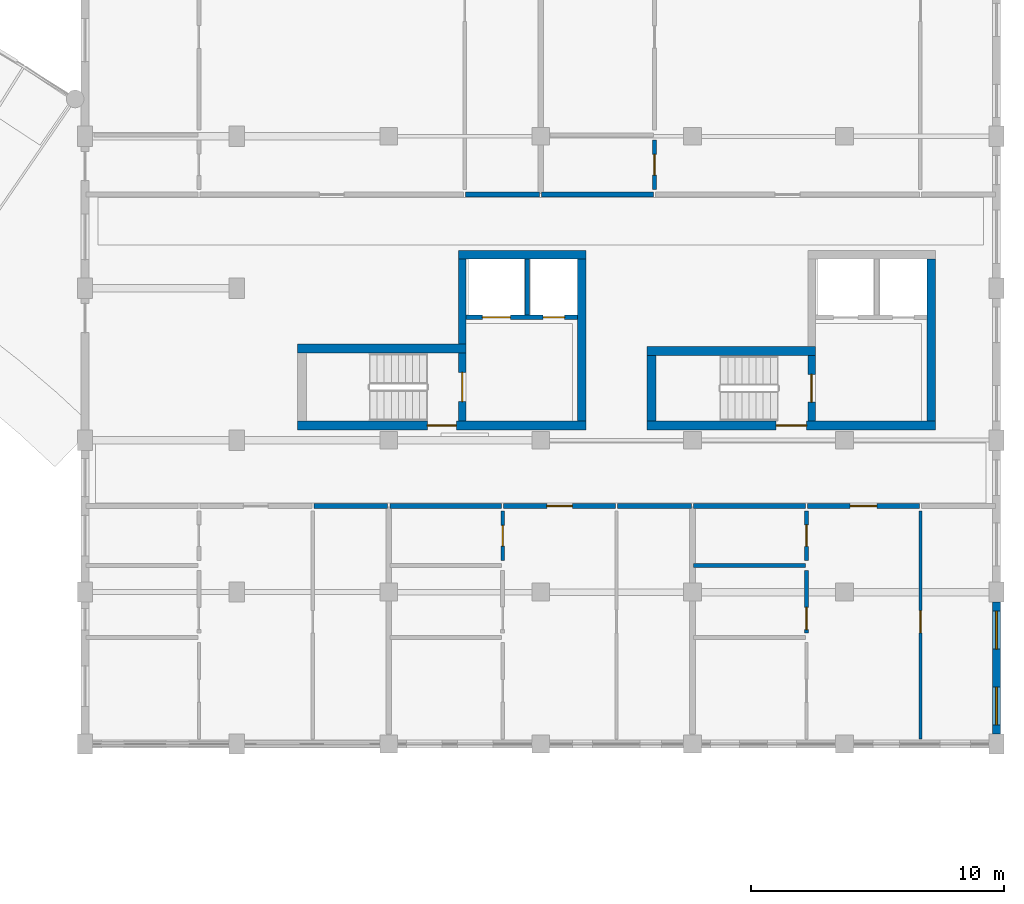
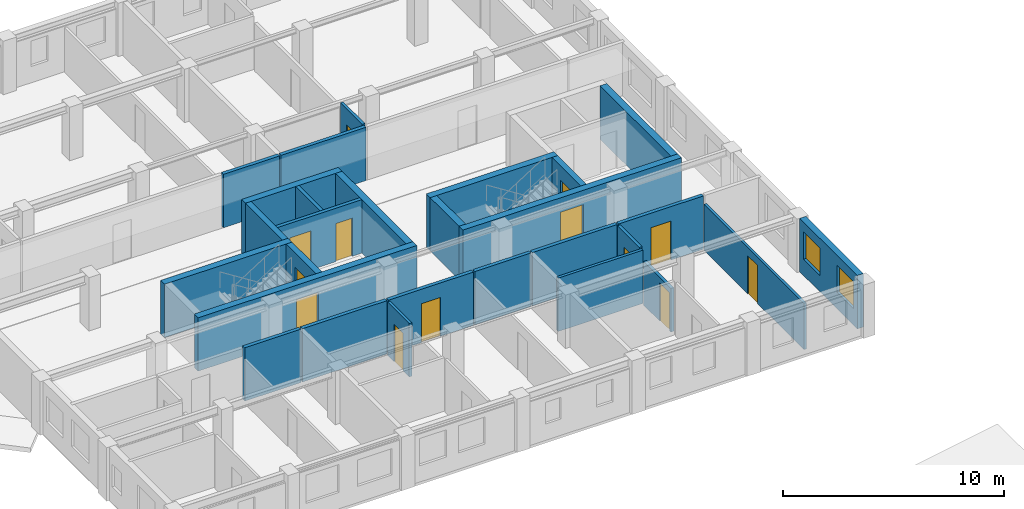
# One storey, part 112 of 137: 28 walls, 13 doors, 2 windows, 15 openings.
"""IFC4 building model written with IfcOpenShell, lengths in metres."""

from ifc_helpers import new_model, si_unit, direction, frame, frame_2d, origin, place, context, subcontext, project, spatial, rectangle, extrude, material, layer, layer_set, type_object, element, fill, save


model = new_model("IFC4")

# Units and contexts
model_context = context("Model", 3, precision=1e-05, world=origin(), true_north=direction((0.0, 1.0)))
body_context = subcontext(model_context, "Body", "Model", "MODEL_VIEW")
ifc_project = project(units=[si_unit("LENGTHUNIT", "METRE"), si_unit("AREAUNIT", "SQUARE_METRE"), si_unit("VOLUMEUNIT", "CUBIC_METRE"), si_unit("PLANEANGLEUNIT", "RADIAN"), si_unit("MASSUNIT", "GRAM", prefix="KILO"), si_unit("POWERUNIT", "WATT"), si_unit("THERMODYNAMICTEMPERATUREUNIT", "KELVIN")], contexts=[model_context])

# Site, building, storey
site_placement = place(None, origin())
site = spatial("IfcSite", under=ifc_project, at=site_placement, CompositionType="ELEMENT")
building_placement = place(site_placement, origin())
building = spatial("IfcBuilding", under=site, at=building_placement, Name="Ruvembo Vaulted Housing Court", CompositionType="ELEMENT")
storey_placement = place(building_placement, frame((0.0, 0.0, 4.5)))
storey = spatial("IfcBuildingStorey", under=building, at=storey_placement, Name="L01", CompositionType="ELEMENT", Elevation=4.5)

# Wall, opening, door
ifc_material_1 = material(Name="Concrete C35/45", Category="concrete")
ifc_layer_1 = layer(ifc_material_1, 0.300048828125, Name="Concrete C35/45")
ifc_layer_set_1 = layer_set([ifc_layer_1], Name="Concrete C35/45")
wall_type_1 = type_object("IfcWallType", Name="WL-CORE-300", PredefinedType="SHEAR", material=ifc_layer_set_1)
wall_1_placement = place(storey_placement, frame((164.89990234375, 84.75, 0.0), z_axis=(0.0, 0.0, 1.0), x_axis=(0.0, 1.0, 0.0)))
wall_1 = element("IfcWall", 1, at=wall_1_placement, inside=storey, type_object=wall_type_1, Name="Core D1 L01 Stair-Lobby Shear Wall", PredefinedType="SHEAR", context=body_context, shape_type="SweptSolid", body=[
    extrude(rectangle(XDim=2.699951171875, YDim=0.300048828125, at=frame_2d((1.35009765625, 0.0))), origin(), (0.0, 0.0, 1.0), 2.945068359375),
])
opening_1_placement = place(wall_1_placement, frame((0.77490234375, 0.0, 0.0)))
opening_1 = element("IfcOpeningElement", 2, at=opening_1_placement, cuts=wall_1, Name="Opening SD1", PredefinedType="OPENING", context=body_context, shape_type="SweptSolid", body=[
    extrude(rectangle(XDim=1.14990234375, YDim=2.14990234375, at=frame_2d((0.574951171875, 1.074951171875))), frame((0.0, 0.159912109375, 0.0), z_axis=(0.0, -1.0, 0.0), x_axis=(1.0, 0.0, 0.0)), (0.0, 0.0, 1.0), 0.320068359375),
])
ifc_material_2 = material(Name="Galvanised Painted Steel", Category="steel")
door_type_1 = type_object("IfcDoorType", Name="DR-STAIR-1150x2150", OperationType="NOTDEFINED", PredefinedType="DOOR", material=ifc_material_2)
door_1_placement = place(opening_1_placement, origin())
door_1 = element("IfcDoor", 3, at=door_1_placement, inside=storey, type_object=door_type_1, Name="Stair ST-D1 L01 Fire Door", OperationType="SINGLE_SWING_RIGHT", OverallHeight=2.14990234375, OverallWidth=1.14990234375, PredefinedType="DOOR", context=body_context, shape_type="SweptSolid", body=[
    extrude(rectangle(XDim=1.14990234375, YDim=2.14990234375, at=frame_2d((0.574951171875, 1.074951171875))), frame((0.0, 0.02490234375, 0.0), z_axis=(0.0, -1.0, 0.0), x_axis=(1.0, 0.0, 0.0)), (0.0, 0.0, 1.0), 0.050048828125),
])
fill(opening_1, door_1)

# Wall
wall_2_placement = place(storey_placement, frame((164.89990234375, 87.800048828125, 0.0), z_axis=(0.0, 0.0, 1.0), x_axis=(0.0, 1.0, 0.0)))
element("IfcWall", 4, at=wall_2_placement, inside=storey, type_object=wall_type_1, Name="Core D1 L01 Upper West Shear Wall", PredefinedType="SHEAR", context=body_context, shape_type="SweptSolid", body=[
    extrude(rectangle(XDim=3.349853515625, YDim=0.300048828125, at=frame_2d((1.6748046875, 0.0))), origin(), (0.0, 0.0, 1.0), 2.945068359375),
])

# Wall, opening, door
wall_3_placement = place(storey_placement, frame((178.699951171875, 84.75, 0.0), z_axis=(0.0, 0.0, 1.0), x_axis=(0.0, 1.0, 0.0)))
wall_3 = element("IfcWall", 5, at=wall_3_placement, inside=storey, type_object=wall_type_1, Name="Core D2 L01 Stair-Lobby Shear Wall", PredefinedType="SHEAR", context=body_context, shape_type="SweptSolid", body=[
    extrude(rectangle(XDim=2.60009765625, YDim=0.300048828125, at=frame_2d((1.300048828125, 0.0))), origin(), (0.0, 0.0, 1.0), 2.945068359375),
])
opening_2_placement = place(wall_3_placement, frame((0.75, 0.0, 0.0)))
opening_2 = element("IfcOpeningElement", 6, at=opening_2_placement, cuts=wall_3, Name="Opening SD2", PredefinedType="OPENING", context=body_context, shape_type="SweptSolid", body=[
    extrude(rectangle(XDim=1.10009765625, YDim=2.14990234375, at=frame_2d((0.550048828125, 1.074951171875))), frame((0.0, 0.159912109375, 0.0), z_axis=(0.0, -1.0, 0.0), x_axis=(1.0, 0.0, 0.0)), (0.0, 0.0, 1.0), 0.320068359375),
])
door_type_2 = type_object("IfcDoorType", Name="DR-STAIR-1100x2150", OperationType="NOTDEFINED", PredefinedType="DOOR", material=ifc_material_2)
door_2_placement = place(opening_2_placement, origin())
door_2 = element("IfcDoor", 7, at=door_2_placement, inside=storey, type_object=door_type_2, Name="Stair ST-D2 L01 Fire Door", OperationType="SINGLE_SWING_RIGHT", OverallHeight=2.14990234375, OverallWidth=1.10009765625, PredefinedType="DOOR", context=body_context, shape_type="SweptSolid", body=[
    extrude(rectangle(XDim=1.10009765625, YDim=2.14990234375, at=frame_2d((0.550048828125, 1.074951171875))), frame((0.0, 0.02490234375, 0.0), z_axis=(0.0, -1.0, 0.0), x_axis=(1.0, 0.0, 0.0)), (0.0, 0.0, 1.0), 0.050048828125),
])
fill(opening_2, door_2)

ifc_layer_2 = layer(ifc_material_1, 0.35009765625, Name="Concrete C35/45")
ifc_layer_set_2 = layer_set([ifc_layer_2], Name="Concrete C35/45")
wall_type_2 = type_object("IfcWallType", Name="WL-CORE-350", PredefinedType="SHEAR", material=ifc_layer_set_2)
wall_4_placement = place(storey_placement, frame((158.39990234375, 84.574951171875, 0.0), z_axis=(0.0, 0.0, 1.0), x_axis=(1.0, 0.0, 0.0)))
wall_4 = element("IfcWall", 8, at=wall_4_placement, inside=storey, type_object=wall_type_2, Name="Core D1 L01 South Shear Wall", PredefinedType="SHEAR", context=body_context, shape_type="SweptSolid", body=[
    extrude(rectangle(XDim=11.400146484375, YDim=0.35009765625, at=frame_2d((5.7001953125, 0.0))), origin(), (0.0, 0.0, 1.0), 2.945068359375),
])
opening_3_placement = place(wall_4_placement, frame((5.125, 0.0, 0.0)))
opening_3 = element("IfcOpeningElement", 9, at=opening_3_placement, cuts=wall_4, Name="Opening LD0", PredefinedType="OPENING", context=body_context, shape_type="SweptSolid", body=[
    extrude(rectangle(XDim=1.14990234375, YDim=2.14990234375, at=frame_2d((0.574951171875, 1.074951171875))), frame((0.0, 0.18505859375, 0.0), z_axis=(0.0, -1.0, 0.0), x_axis=(1.0, 0.0, 0.0)), (0.0, 0.0, 1.0), 0.3701171875),
])
door_type_3 = type_object("IfcDoorType", Name="DR-LOB-1150x2150", OperationType="NOTDEFINED", PredefinedType="DOOR", material=ifc_material_2)
door_3_placement = place(opening_3_placement, origin())
door_3 = element("IfcDoor", 10, at=door_3_placement, inside=storey, type_object=door_type_3, Name="Core D1 L01 Lobby Fire Door", OperationType="SINGLE_SWING_LEFT", OverallHeight=2.14990234375, OverallWidth=1.14990234375, PredefinedType="DOOR", context=body_context, shape_type="SweptSolid", body=[
    extrude(rectangle(XDim=1.14990234375, YDim=2.14990234375, at=frame_2d((0.574951171875, 1.074951171875))), frame((0.0, 0.02490234375, 0.0), z_axis=(0.0, -1.0, 0.0), x_axis=(1.0, 0.0, 0.0)), (0.0, 0.0, 1.0), 0.050048828125),
])
fill(opening_3, door_3)

# Walls
wall_5_placement = place(storey_placement, frame((165.050048828125, 87.625, 0.0), z_axis=(0.0, 0.0, 1.0), x_axis=(-1.0, 0.0, 0.0)))
element("IfcWall", 11, at=wall_5_placement, inside=storey, type_object=wall_type_2, Name="Core D1 L01 Stair North Shear Wall", PredefinedType="SHEAR", context=body_context, shape_type="SweptSolid", body=[
    extrude(rectangle(XDim=6.650146484375, YDim=0.35009765625, at=frame_2d((3.3251953125, 0.0))), origin(), (0.0, 0.0, 1.0), 2.945068359375),
])
wall_6_placement = place(storey_placement, frame((169.800048828125, 91.324951171875, 0.0), z_axis=(0.0, 0.0, 1.0), x_axis=(-1.0, 0.0, 0.0)))
element("IfcWall", 12, at=wall_6_placement, inside=storey, type_object=wall_type_2, Name="Core D1 L01 North Shear Wall", PredefinedType="SHEAR", context=body_context, shape_type="SweptSolid", body=[
    extrude(rectangle(XDim=5.050048828125, YDim=0.35009765625, at=frame_2d((2.52490234375, 0.0))), origin(), (0.0, 0.0, 1.0), 2.945068359375),
])
wall_7_placement = place(storey_placement, frame((169.625, 84.75, 0.0), z_axis=(0.0, 0.0, 1.0), x_axis=(0.0, 1.0, 0.0)))
element("IfcWall", 13, at=wall_7_placement, inside=storey, type_object=wall_type_2, Name="Core D1 L01 East Shear Wall", PredefinedType="SHEAR", context=body_context, shape_type="SweptSolid", body=[
    extrude(rectangle(XDim=6.39990234375, YDim=0.35009765625, at=frame_2d((3.199951171875, 0.0))), origin(), (0.0, 0.0, 1.0), 2.945068359375),
])

# Wall, opening, door
wall_8_placement = place(storey_placement, frame((172.199951171875, 84.574951171875, 0.0), z_axis=(0.0, 0.0, 1.0), x_axis=(1.0, 0.0, 0.0)))
wall_8 = element("IfcWall", 14, at=wall_8_placement, inside=storey, type_object=wall_type_2, Name="Core D2 L01 South Shear Wall", PredefinedType="SHEAR", context=body_context, shape_type="SweptSolid", body=[
    extrude(rectangle(XDim=11.400146484375, YDim=0.35009765625, at=frame_2d((5.7001953125, 0.0))), origin(), (0.0, 0.0, 1.0), 2.945068359375),
])
opening_4_placement = place(wall_8_placement, frame((5.10009765625, 0.0, 0.0)))
opening_4 = element("IfcOpeningElement", 15, at=opening_4_placement, cuts=wall_8, Name="Opening LD3", PredefinedType="OPENING", context=body_context, shape_type="SweptSolid", body=[
    extrude(rectangle(XDim=1.199951171875, YDim=2.14990234375, at=frame_2d((0.60009765625, 1.074951171875))), frame((0.0, 0.18505859375, 0.0), z_axis=(0.0, -1.0, 0.0), x_axis=(1.0, 0.0, 0.0)), (0.0, 0.0, 1.0), 0.3701171875),
])
door_type_4 = type_object("IfcDoorType", Name="DR-LOB-1200x2150", OperationType="NOTDEFINED", PredefinedType="DOOR", material=ifc_material_2)
door_4_placement = place(opening_4_placement, origin())
door_4 = element("IfcDoor", 16, at=door_4_placement, inside=storey, type_object=door_type_4, Name="Core D2 L01 Lobby Fire Door", OperationType="SINGLE_SWING_LEFT", OverallHeight=2.14990234375, OverallWidth=1.199951171875, PredefinedType="DOOR", context=body_context, shape_type="SweptSolid", body=[
    extrude(rectangle(XDim=1.199951171875, YDim=2.14990234375, at=frame_2d((0.60009765625, 1.074951171875))), frame((0.0, 0.02490234375, 0.0), z_axis=(0.0, -1.0, 0.0), x_axis=(1.0, 0.0, 0.0)), (0.0, 0.0, 1.0), 0.050048828125),
])
fill(opening_4, door_4)

# Walls
wall_9_placement = place(storey_placement, frame((178.85009765625, 87.52490234375, 0.0), z_axis=(0.0, 0.0, 1.0), x_axis=(-1.0, 0.0, 0.0)))
element("IfcWall", 17, at=wall_9_placement, inside=storey, type_object=wall_type_2, Name="Core D2 L01 Stair North Shear Wall", PredefinedType="SHEAR", context=body_context, shape_type="SweptSolid", body=[
    extrude(rectangle(XDim=6.650146484375, YDim=0.35009765625, at=frame_2d((3.3251953125, 0.0))), origin(), (0.0, 0.0, 1.0), 2.945068359375),
])
wall_10_placement = place(storey_placement, frame((172.375, 87.35009765625, 0.0), z_axis=(0.0, 0.0, 1.0), x_axis=(0.0, -1.0, 0.0)))
element("IfcWall", 18, at=wall_10_placement, inside=storey, type_object=wall_type_2, Name="Core D2 L01 Stair West Shear Wall", PredefinedType="SHEAR", context=body_context, shape_type="SweptSolid", body=[
    extrude(rectangle(XDim=2.60009765625, YDim=0.35009765625, at=frame_2d((1.300048828125, 0.0))), origin(), (0.0, 0.0, 1.0), 2.945068359375),
])
wall_11_placement = place(storey_placement, frame((183.425048828125, 84.75, 0.0), z_axis=(0.0, 0.0, 1.0), x_axis=(0.0, 1.0, 0.0)))
element("IfcWall", 19, at=wall_11_placement, inside=storey, type_object=wall_type_2, Name="Core D2 L01 East Shear Wall", PredefinedType="SHEAR", context=body_context, shape_type="SweptSolid", body=[
    extrude(rectangle(XDim=6.39990234375, YDim=0.35009765625, at=frame_2d((3.199951171875, 0.0))), origin(), (0.0, 0.0, 1.0), 2.945068359375),
])
ifc_material_3 = material(Name="Concrete Blockwork 190", Category="masonry")
ifc_layer_3 = layer(ifc_material_3, 0.18994140625, Name="Concrete Blockwork 190")
ifc_layer_set_3 = layer_set([ifc_layer_3], Name="Concrete Blockwork 190")
wall_type_3 = type_object("IfcWallType", Name="WL-CORR-190", PredefinedType="SOLIDWALL", material=ifc_layer_set_3)
wall_12_placement = place(storey_placement, frame((159.0400390625, 81.39990234375, 0.0), z_axis=(0.0, 0.0, 1.0), x_axis=(1.0, 0.0, 0.0)))
element("IfcWall", 20, at=wall_12_placement, inside=storey, type_object=wall_type_3, Name="L01 Flat D-L01-S1 Corridor Wall 2 WL-INT-L01-00330", PredefinedType="SOLIDWALL", context=body_context, shape_type="SweptSolid", body=[
    extrude(rectangle(XDim=2.919921875, YDim=0.18994140625, at=frame_2d((1.4599609375, 0.0))), origin(), (0.0, 0.0, 1.0), 2.945068359375),
])
wall_13_placement = place(storey_placement, frame((162.0400390625, 81.39990234375, 0.0), z_axis=(0.0, 0.0, 1.0), x_axis=(1.0, 0.0, 0.0)))
element("IfcWall", 21, at=wall_13_placement, inside=storey, type_object=wall_type_3, Name="L01 Flat D-L01-S2 Corridor Wall WL-INT-L01-00333", PredefinedType="SOLIDWALL", context=body_context, shape_type="SweptSolid", body=[
    extrude(rectangle(XDim=4.419921875, YDim=0.18994140625, at=frame_2d((2.2099609375, 0.0))), origin(), (0.0, 0.0, 1.0), 2.945068359375),
])

# Wall, opening, door
wall_14_placement = place(storey_placement, frame((166.5400390625, 81.39990234375, 0.0), z_axis=(0.0, 0.0, 1.0), x_axis=(1.0, 0.0, 0.0)))
wall_14 = element("IfcWall", 22, at=wall_14_placement, inside=storey, type_object=wall_type_3, Name="L01 Flat D-L01-S2 Entrance WL-INT-L01-00334", PredefinedType="SOLIDWALL", context=body_context, shape_type="SweptSolid", body=[
    extrude(rectangle(XDim=4.419921875, YDim=0.18994140625, at=frame_2d((2.2099609375, 0.0))), origin(), (0.0, 0.0, 1.0), 2.945068359375),
])
opening_5_placement = place(wall_14_placement, frame((1.7099609375, 0.0, 0.0)))
opening_5 = element("IfcOpeningElement", 23, at=opening_5_placement, cuts=wall_14, Name="Opening FD1", PredefinedType="OPENING", context=body_context, shape_type="SweptSolid", body=[
    extrude(rectangle(XDim=1.0, YDim=2.14990234375, at=frame_2d((0.5, 1.074951171875))), frame((0.0, 0.10498046875, 0.0), z_axis=(0.0, -1.0, 0.0), x_axis=(1.0, 0.0, 0.0)), (0.0, 0.0, 1.0), 0.2099609375),
])
ifc_material_4 = material(Name="FSC Hardwood and Engineered Timber", Category="wood")
door_type_5 = type_object("IfcDoorType", Name="DR-FLAT-1000x2150", OperationType="NOTDEFINED", PredefinedType="DOOR", material=ifc_material_4)
door_5_placement = place(opening_5_placement, origin())
door_5 = element("IfcDoor", 24, at=door_5_placement, inside=storey, type_object=door_type_5, Name="L01 Flat D-L01-S2 Entrance Door DR-INT-L01-00168", OperationType="SINGLE_SWING_RIGHT", OverallHeight=2.14990234375, OverallWidth=1.0, PredefinedType="DOOR", context=body_context, shape_type="SweptSolid", body=[
    extrude(rectangle(XDim=1.0, YDim=2.14990234375, at=frame_2d((0.5, 1.074951171875))), frame((0.0, 0.02490234375, 0.0), z_axis=(0.0, -1.0, 0.0), x_axis=(1.0, 0.0, 0.0)), (0.0, 0.0, 1.0), 0.050048828125),
])
fill(opening_5, door_5)

# Walls
wall_15_placement = place(storey_placement, frame((171.0400390625, 81.39990234375, 0.0), z_axis=(0.0, 0.0, 1.0), x_axis=(1.0, 0.0, 0.0)))
element("IfcWall", 25, at=wall_15_placement, inside=storey, type_object=wall_type_3, Name="L01 Flat D-L01-S2 Corridor Wall 2 WL-INT-L01-00340", PredefinedType="SOLIDWALL", context=body_context, shape_type="SweptSolid", body=[
    extrude(rectangle(XDim=2.919921875, YDim=0.18994140625, at=frame_2d((1.4599609375, 0.0))), origin(), (0.0, 0.0, 1.0), 2.945068359375),
])
wall_16_placement = place(storey_placement, frame((174.0400390625, 81.39990234375, 0.0), z_axis=(0.0, 0.0, 1.0), x_axis=(1.0, 0.0, 0.0)))
element("IfcWall", 26, at=wall_16_placement, inside=storey, type_object=wall_type_3, Name="L01 Flat D-L01-S3 Corridor Wall WL-INT-L01-00342", PredefinedType="SOLIDWALL", context=body_context, shape_type="SweptSolid", body=[
    extrude(rectangle(XDim=4.419921875, YDim=0.18994140625, at=frame_2d((2.2099609375, 0.0))), origin(), (0.0, 0.0, 1.0), 2.945068359375),
])

# Wall, opening, door
wall_17_placement = place(storey_placement, frame((178.5400390625, 81.39990234375, 0.0), z_axis=(0.0, 0.0, 1.0), x_axis=(1.0, 0.0, 0.0)))
wall_17 = element("IfcWall", 27, at=wall_17_placement, inside=storey, type_object=wall_type_3, Name="L01 Flat D-L01-S3 Entrance WL-INT-L01-00343", PredefinedType="SOLIDWALL", context=body_context, shape_type="SweptSolid", body=[
    extrude(rectangle(XDim=4.419921875, YDim=0.18994140625, at=frame_2d((2.2099609375, 0.0))), origin(), (0.0, 0.0, 1.0), 2.945068359375),
])
opening_6_placement = place(wall_17_placement, frame((1.68505859375, 0.0, 0.0)))
opening_6 = element("IfcOpeningElement", 28, at=opening_6_placement, cuts=wall_17, Name="Opening FD3", PredefinedType="OPENING", context=body_context, shape_type="SweptSolid", body=[
    extrude(rectangle(XDim=1.050048828125, YDim=2.14990234375, at=frame_2d((0.52490234375, 1.074951171875))), frame((0.0, 0.10498046875, 0.0), z_axis=(0.0, -1.0, 0.0), x_axis=(1.0, 0.0, 0.0)), (0.0, 0.0, 1.0), 0.2099609375),
])
door_type_6 = type_object("IfcDoorType", Name="DR-FLAT-1050x2150", OperationType="NOTDEFINED", PredefinedType="DOOR", material=ifc_material_4)
door_6_placement = place(opening_6_placement, origin())
door_6 = element("IfcDoor", 29, at=door_6_placement, inside=storey, type_object=door_type_6, Name="L01 Flat D-L01-S3 Entrance Door DR-INT-L01-00173", OperationType="SINGLE_SWING_LEFT", OverallHeight=2.14990234375, OverallWidth=1.050048828125, PredefinedType="DOOR", context=body_context, shape_type="SweptSolid", body=[
    extrude(rectangle(XDim=1.050048828125, YDim=2.14990234375, at=frame_2d((0.52490234375, 1.074951171875))), frame((0.0, 0.02490234375, 0.0), z_axis=(0.0, -1.0, 0.0), x_axis=(1.0, 0.0, 0.0)), (0.0, 0.0, 1.0), 0.050048828125),
])
fill(opening_6, door_6)

# Walls
wall_18_placement = place(storey_placement, frame((165.0400390625, 93.699951171875, 0.0), z_axis=(0.0, 0.0, 1.0), x_axis=(1.0, 0.0, 0.0)))
element("IfcWall", 30, at=wall_18_placement, inside=storey, type_object=wall_type_3, Name="L01 Flat D-L01-N1 Corridor Wall 2 WL-INT-L01-00359", PredefinedType="SOLIDWALL", context=body_context, shape_type="SweptSolid", body=[
    extrude(rectangle(XDim=2.919921875, YDim=0.18994140625, at=frame_2d((1.4599609375, 0.0))), origin(), (0.0, 0.0, 1.0), 2.945068359375),
])
wall_19_placement = place(storey_placement, frame((168.0400390625, 93.699951171875, 0.0), z_axis=(0.0, 0.0, 1.0), x_axis=(1.0, 0.0, 0.0)))
element("IfcWall", 31, at=wall_19_placement, inside=storey, type_object=wall_type_3, Name="L01 Flat D-L01-N2 Corridor Wall WL-INT-L01-00361", PredefinedType="SOLIDWALL", context=body_context, shape_type="SweptSolid", body=[
    extrude(rectangle(XDim=4.419921875, YDim=0.18994140625, at=frame_2d((2.2099609375, 0.0))), origin(), (0.0, 0.0, 1.0), 2.945068359375),
])

# Wall, openings, windows
ifc_material_5 = material(Name="Rendered Masonry 320", Category="masonry")
ifc_layer_4 = layer(ifc_material_5, 0.320068359375, Name="Rendered Masonry 320")
ifc_layer_set_4 = layer_set([ifc_layer_4], Name="Rendered Masonry 320")
wall_type_4 = type_object("IfcWallType", Name="WL-EXT-320", PredefinedType="STANDARD", material=ifc_layer_set_4)
wall_20_placement = place(storey_placement, frame((186.0, 72.39990234375, 0.0), z_axis=(0.0, 0.0, 1.0), x_axis=(0.0, 1.0, 0.0)))
wall_20 = element("IfcWall", 32, at=wall_20_placement, inside=storey, type_object=wall_type_4, Name="Block D L01 Exterior Wall EAST #1", PredefinedType="STANDARD", context=body_context, shape_type="SweptSolid", body=[
    extrude(rectangle(XDim=5.2001953125, YDim=0.320068359375, at=frame_2d((2.60009765625, 0.0))), origin(), (0.0, 0.0, 1.0), 2.945068359375),
])
opening_7_placement = place(wall_20_placement, frame((0.35009765625, 0.0, 0.89990234375)))
opening_7 = element("IfcOpeningElement", 33, at=opening_7_placement, cuts=wall_20, Name="Opening W19", PredefinedType="OPENING", context=body_context, shape_type="SweptSolid", body=[
    extrude(rectangle(XDim=1.5, YDim=1.5, at=frame_2d((0.75, 0.75))), frame((0.0, 0.169921875, 0.0), z_axis=(0.0, -1.0, 0.0), x_axis=(1.0, 0.0, 0.0)), (0.0, 0.0, 1.0), 0.340087890625),
])
opening_8_placement = place(wall_20_placement, frame((3.35009765625, 0.0, 0.89990234375)))
opening_8 = element("IfcOpeningElement", 34, at=opening_8_placement, cuts=wall_20, Name="Opening W19", PredefinedType="OPENING", context=body_context, shape_type="SweptSolid", body=[
    extrude(rectangle(XDim=1.5, YDim=1.5, at=frame_2d((0.75, 0.75))), frame((0.0, 0.169921875, 0.0), z_axis=(0.0, -1.0, 0.0), x_axis=(1.0, 0.0, 0.0)), (0.0, 0.0, 1.0), 0.340087890625),
])
ifc_material_6 = material(Name="Double Solar-Control Glazing in Aluminium Frame", Category="aluminium")
window_type = type_object("IfcWindowType", Name="WIN-1500x1500", PartitioningType="SINGLE_PANEL", PredefinedType="WINDOW", material=ifc_material_6)
window_1_placement = place(opening_7_placement, origin())
window_1 = element("IfcWindow", 35, at=window_1_placement, inside=storey, type_object=window_type, Name="Block D L01 Window #1499", OverallHeight=1.5, OverallWidth=1.5, PartitioningType="SINGLE_PANEL", PredefinedType="WINDOW", context=body_context, shape_type="SweptSolid", body=[
    extrude(rectangle(XDim=1.5, YDim=1.5, at=frame_2d((0.75, 0.75))), frame((0.0, 0.030029296875, 0.0), z_axis=(0.0, -1.0, 0.0), x_axis=(1.0, 0.0, 0.0)), (0.0, 0.0, 1.0), 0.06005859375),
])
fill(opening_7, window_1)
window_2_placement = place(opening_8_placement, origin())
window_2 = element("IfcWindow", 36, at=window_2_placement, inside=storey, type_object=window_type, Name="Block D L01 Window #1500", OverallHeight=1.5, OverallWidth=1.5, PartitioningType="SINGLE_PANEL", PredefinedType="WINDOW", context=body_context, shape_type="SweptSolid", body=[
    extrude(rectangle(XDim=1.5, YDim=1.5, at=frame_2d((0.75, 0.75))), frame((0.0, 0.030029296875, 0.0), z_axis=(0.0, -1.0, 0.0), x_axis=(1.0, 0.0, 0.0)), (0.0, 0.0, 1.0), 0.06005859375),
])
fill(opening_8, window_2)

# Wall, opening, door
ifc_material_7 = material(Name="Plasterboard Stud Partition 125", Category="gypsum")
ifc_layer_5 = layer(ifc_material_7, 0.125, Name="Plasterboard Stud Partition 125")
ifc_layer_set_5 = layer_set([ifc_layer_5], Name="Plasterboard Stud Partition 125")
wall_type_5 = type_object("IfcWallType", Name="WL-PART-125", PredefinedType="PARTITIONING", material=ifc_layer_set_5)
wall_21_placement = place(storey_placement, frame((183.0, 72.18994140625, 0.0), z_axis=(0.0, 0.0, 1.0), x_axis=(0.0, 1.0, 0.0)))
wall_21 = element("IfcWall", 37, at=wall_21_placement, inside=storey, type_object=wall_type_5, Name="L01 Flat D-L01-S3 Bedroom 2 WL-INT-L01-00350", PredefinedType="PARTITIONING", context=body_context, shape_type="SweptSolid", body=[
    extrude(rectangle(XDim=9.02001953125, YDim=0.125, at=frame_2d((4.510009765625, 0.0))), origin(), (0.0, 0.0, 1.0), 2.548095703125),
])
opening_9_placement = place(wall_21_placement, frame((4.199951171875, 0.0, 0.0)))
opening_9 = element("IfcOpeningElement", 38, at=opening_9_placement, cuts=wall_21, Name="Opening ID3", PredefinedType="OPENING", context=body_context, shape_type="SweptSolid", body=[
    extrude(rectangle(XDim=0.8798828125, YDim=2.10009765625, at=frame_2d((0.43994140625, 1.050048828125))), frame((0.0, 0.072509765625, 0.0), z_axis=(0.0, -1.0, 0.0), x_axis=(1.0, 0.0, 0.0)), (0.0, 0.0, 1.0), 0.14501953125),
])
door_type_7 = type_object("IfcDoorType", Name="DR-ROOM-0880x2100", OperationType="NOTDEFINED", PredefinedType="DOOR", material=ifc_material_4)
door_7_placement = place(opening_9_placement, origin())
door_7 = element("IfcDoor", 39, at=door_7_placement, inside=storey, type_object=door_type_7, Name="L01 Flat D-L01-S3 Bedroom 2 Door DR-INT-L01-00177", OperationType="SINGLE_SWING_LEFT", OverallHeight=2.10009765625, OverallWidth=0.8798828125, PredefinedType="DOOR", context=body_context, shape_type="SweptSolid", body=[
    extrude(rectangle(XDim=0.8798828125, YDim=2.10009765625, at=frame_2d((0.43994140625, 1.050048828125))), frame((0.0, 0.02490234375, 0.0), z_axis=(0.0, -1.0, 0.0), x_axis=(1.0, 0.0, 0.0)), (0.0, 0.0, 1.0), 0.050048828125),
])
fill(opening_9, door_7)

ifc_material_8 = material(Name="Moisture-Resistant Wet Partition 150", Category="gypsum")
ifc_layer_6 = layer(ifc_material_8, 0.14990234375, Name="Moisture-Resistant Wet Partition 150")
ifc_layer_set_6 = layer_set([ifc_layer_6], Name="Moisture-Resistant Wet Partition 150")
wall_type_6 = type_object("IfcWallType", Name="WL-PART-150", PredefinedType="PARTITIONING", material=ifc_layer_set_6)
wall_22_placement = place(storey_placement, frame((166.5, 79.239990234375, 0.0), z_axis=(0.0, 0.0, 1.0), x_axis=(0.0, 1.0, 0.0)))
wall_22 = element("IfcWall", 40, at=wall_22_placement, inside=storey, type_object=wall_type_6, Name="L01 Flat D-L01-S2 Bathroom WL-INT-L01-00337", PredefinedType="PARTITIONING", context=body_context, shape_type="SweptSolid", body=[
    extrude(rectangle(XDim=1.969970703125, YDim=0.14990234375, at=frame_2d((0.98486328125, 0.0))), origin(), (0.0, 0.0, 1.0), 2.945068359375),
])
opening_10_placement = place(wall_22_placement, frame((0.574951171875, 0.0, 0.0)))
opening_10 = element("IfcOpeningElement", 41, at=opening_10_placement, cuts=wall_22, Name="Opening ID4", PredefinedType="OPENING", context=body_context, shape_type="SweptSolid", body=[
    extrude(rectangle(XDim=0.820068359375, YDim=2.080078125, at=frame_2d((0.41015625, 1.0400390625))), frame((0.0, 0.0849609375, 0.0), z_axis=(0.0, -1.0, 0.0), x_axis=(1.0, 0.0, 0.0)), (0.0, 0.0, 1.0), 0.169921875),
])
door_type_8 = type_object("IfcDoorType", Name="DR-WET-0820x2080", OperationType="NOTDEFINED", PredefinedType="DOOR", material=ifc_material_4)
door_8_placement = place(opening_10_placement, origin())
door_8 = element("IfcDoor", 42, at=door_8_placement, inside=storey, type_object=door_type_8, Name="L01 Flat D-L01-S2 Bathroom Door DR-INT-L01-00171", OperationType="SINGLE_SWING_LEFT", OverallHeight=2.080078125, OverallWidth=0.820068359375, PredefinedType="DOOR", context=body_context, shape_type="SweptSolid", body=[
    extrude(rectangle(XDim=0.820068359375, YDim=2.080078125, at=frame_2d((0.41015625, 1.0400390625))), frame((0.0, 0.02490234375, 0.0), z_axis=(0.0, -1.0, 0.0), x_axis=(1.0, 0.0, 0.0)), (0.0, 0.0, 1.0), 0.050048828125),
])
fill(opening_10, door_8)

wall_23_placement = place(storey_placement, frame((178.5, 79.239990234375, 0.0), z_axis=(0.0, 0.0, 1.0), x_axis=(0.0, 1.0, 0.0)))
wall_23 = element("IfcWall", 43, at=wall_23_placement, inside=storey, type_object=wall_type_6, Name="L01 Flat D-L01-S3 Bathroom WL-INT-L01-00346", PredefinedType="PARTITIONING", context=body_context, shape_type="SweptSolid", body=[
    extrude(rectangle(XDim=1.969970703125, YDim=0.14990234375, at=frame_2d((0.98486328125, 0.0))), origin(), (0.0, 0.0, 1.0), 2.945068359375),
])
opening_11_placement = place(wall_23_placement, frame((0.56005859375, 0.0, 0.0)))
opening_11 = element("IfcOpeningElement", 44, at=opening_11_placement, cuts=wall_23, Name="Opening ID2", PredefinedType="OPENING", context=body_context, shape_type="SweptSolid", body=[
    extrude(rectangle(XDim=0.85009765625, YDim=2.10009765625, at=frame_2d((0.425048828125, 1.050048828125))), frame((0.0, 0.0849609375, 0.0), z_axis=(0.0, -1.0, 0.0), x_axis=(1.0, 0.0, 0.0)), (0.0, 0.0, 1.0), 0.169921875),
])
door_type_9 = type_object("IfcDoorType", Name="DR-WET-0850x2100", OperationType="NOTDEFINED", PredefinedType="DOOR", material=ifc_material_4)
door_9_placement = place(opening_11_placement, origin())
door_9 = element("IfcDoor", 45, at=door_9_placement, inside=storey, type_object=door_type_9, Name="L01 Flat D-L01-S3 Bathroom Door DR-INT-L01-00176", OperationType="SINGLE_SWING_RIGHT", OverallHeight=2.10009765625, OverallWidth=0.85009765625, PredefinedType="DOOR", context=body_context, shape_type="SweptSolid", body=[
    extrude(rectangle(XDim=0.85009765625, YDim=2.10009765625, at=frame_2d((0.425048828125, 1.050048828125))), frame((0.0, 0.02490234375, 0.0), z_axis=(0.0, -1.0, 0.0), x_axis=(1.0, 0.0, 0.0)), (0.0, 0.0, 1.0), 0.050048828125),
])
fill(opening_11, door_9)

# Wall
wall_24_placement = place(storey_placement, frame((174.0400390625, 79.050048828125, 0.0), z_axis=(0.0, 0.0, 1.0), x_axis=(1.0, 0.0, 0.0)))
element("IfcWall", 46, at=wall_24_placement, inside=storey, type_object=wall_type_6, Name="L01 Flat D-L01-S3 Wet Wall 2 WL-INT-L01-00348", PredefinedType="PARTITIONING", context=body_context, shape_type="SweptSolid", body=[
    extrude(rectangle(XDim=4.419921875, YDim=0.14990234375, at=frame_2d((2.2099609375, 0.0))), origin(), (0.0, 0.0, 1.0), 2.945068359375),
])

# Wall, opening, door
wall_25_placement = place(storey_placement, frame((172.5, 93.889892578125, 0.0), z_axis=(0.0, 0.0, 1.0), x_axis=(0.0, 1.0, 0.0)))
wall_25 = element("IfcWall", 47, at=wall_25_placement, inside=storey, type_object=wall_type_6, Name="L01 Flat D-L01-N2 Bathroom WL-INT-L01-00365", PredefinedType="PARTITIONING", context=body_context, shape_type="SweptSolid", body=[
    extrude(rectangle(XDim=1.97021484375, YDim=0.14990234375, at=frame_2d((0.985107421875, 0.0))), origin(), (0.0, 0.0, 1.0), 2.945068359375),
])
opening_12_placement = place(wall_25_placement, frame((0.574951171875, 0.0, 0.0)))
opening_12 = element("IfcOpeningElement", 48, at=opening_12_placement, cuts=wall_25, Name="Opening ID4", PredefinedType="OPENING", context=body_context, shape_type="SweptSolid", body=[
    extrude(rectangle(XDim=0.820068359375, YDim=2.080078125, at=frame_2d((0.41015625, 1.0400390625))), frame((0.0, 0.0849609375, 0.0), z_axis=(0.0, -1.0, 0.0), x_axis=(1.0, 0.0, 0.0)), (0.0, 0.0, 1.0), 0.169921875),
])
door_10_placement = place(opening_12_placement, origin())
door_10 = element("IfcDoor", 49, at=door_10_placement, inside=storey, type_object=door_type_8, Name="L01 Flat D-L01-N2 Bathroom Door DR-INT-L01-00186", OperationType="SINGLE_SWING_RIGHT", OverallHeight=2.080078125, OverallWidth=0.820068359375, PredefinedType="DOOR", context=body_context, shape_type="SweptSolid", body=[
    extrude(rectangle(XDim=0.820068359375, YDim=2.080078125, at=frame_2d((0.41015625, 1.0400390625))), frame((0.0, 0.02490234375, 0.0), z_axis=(0.0, -1.0, 0.0), x_axis=(1.0, 0.0, 0.0)), (0.0, 0.0, 1.0), 0.050048828125),
])
fill(opening_12, door_10)

ifc_material_9 = material(Name="Acoustic Service Chase Wall 160", Category="gypsum")
ifc_layer_7 = layer(ifc_material_9, 0.159912109375, Name="Acoustic Service Chase Wall 160")
ifc_layer_set_7 = layer_set([ifc_layer_7], Name="Acoustic Service Chase Wall 160")
wall_type_7 = type_object("IfcWallType", Name="WL-PLUMB-160", PredefinedType="PLUMBINGWALL", material=ifc_layer_set_7)
wall_26_placement = place(storey_placement, frame((178.5, 76.389892578125, 0.0), z_axis=(0.0, 0.0, 1.0), x_axis=(0.0, 1.0, 0.0)))
wall_26 = element("IfcWall", 50, at=wall_26_placement, inside=storey, type_object=wall_type_7, Name="L01 Flat D-L01-S3 Kitchen WL-INT-L01-00345", PredefinedType="PLUMBINGWALL", context=body_context, shape_type="SweptSolid", body=[
    extrude(rectangle(XDim=2.47021484375, YDim=0.159912109375, at=frame_2d((1.235107421875, 0.0))), origin(), (0.0, 0.0, 1.0), 2.407958984375),
])
opening_13_placement = place(wall_26_placement, frame((0.1298828125, 0.0, 0.0)))
opening_13 = element("IfcOpeningElement", 51, at=opening_13_placement, cuts=wall_26, Name="Opening ID3", PredefinedType="OPENING", context=body_context, shape_type="SweptSolid", body=[
    extrude(rectangle(XDim=0.8798828125, YDim=2.10009765625, at=frame_2d((0.43994140625, 1.050048828125))), frame((0.0, 0.08984375, 0.0), z_axis=(0.0, -1.0, 0.0), x_axis=(1.0, 0.0, 0.0)), (0.0, 0.0, 1.0), 0.179931640625),
])
door_11_placement = place(opening_13_placement, origin())
door_11 = element("IfcDoor", 52, at=door_11_placement, inside=storey, type_object=door_type_7, Name="L01 Flat D-L01-S3 Kitchen Door DR-INT-L01-00175", OperationType="SINGLE_SWING_LEFT", OverallHeight=2.10009765625, OverallWidth=0.8798828125, PredefinedType="DOOR", context=body_context, shape_type="SweptSolid", body=[
    extrude(rectangle(XDim=0.8798828125, YDim=2.10009765625, at=frame_2d((0.43994140625, 1.050048828125))), frame((0.0, 0.02490234375, 0.0), z_axis=(0.0, -1.0, 0.0), x_axis=(1.0, 0.0, 0.0)), (0.0, 0.0, 1.0), 0.050048828125),
])
fill(opening_13, door_11)

# Wall, openings, doors
ifc_material_10 = material(Name="Fire-Rated Masonry Shaft 180", Category="masonry")
ifc_layer_8 = layer(ifc_material_10, 0.179931640625, Name="Fire-Rated Masonry Shaft 180")
ifc_layer_set_8 = layer_set([ifc_layer_8], Name="Fire-Rated Masonry Shaft 180")
wall_type_8 = type_object("IfcWallType", Name="WL-SHAFT-180", PredefinedType="SOLIDWALL", material=ifc_layer_set_8)
wall_27_placement = place(storey_placement, frame((165.050048828125, 88.85009765625, 0.0), z_axis=(0.0, 0.0, 1.0), x_axis=(1.0, 0.0, 0.0)))
wall_27 = element("IfcWall", 53, at=wall_27_placement, inside=storey, type_object=wall_type_8, Name="Core D1 L01 Lift and Riser Front Wall", PredefinedType="SOLIDWALL", context=body_context, shape_type="SweptSolid", body=[
    extrude(rectangle(XDim=4.39990234375, YDim=0.179931640625, at=frame_2d((2.199951171875, 0.0))), origin(), (0.0, 0.0, 1.0), 2.945068359375),
])
opening_14_placement = place(wall_27_placement, frame((0.64990234375, 0.0, 0.0)))
opening_14 = element("IfcOpeningElement", 54, at=opening_14_placement, cuts=wall_27, Name="Opening LD-LP-D1-L01", PredefinedType="OPENING", context=body_context, shape_type="SweptSolid", body=[
    extrude(rectangle(XDim=1.10009765625, YDim=2.14990234375, at=frame_2d((0.550048828125, 1.074951171875))), frame((0.0, 0.099853515625, 0.0), z_axis=(0.0, -1.0, 0.0), x_axis=(1.0, 0.0, 0.0)), (0.0, 0.0, 1.0), 0.199951171875),
])
opening_15_placement = place(wall_27_placement, frame((3.050048828125, 0.0, 0.0)))
opening_15 = element("IfcOpeningElement", 55, at=opening_15_placement, cuts=wall_27, Name="Opening RD1", PredefinedType="OPENING", context=body_context, shape_type="SweptSolid", body=[
    extrude(rectangle(XDim=0.85009765625, YDim=2.10009765625, at=frame_2d((0.425048828125, 1.050048828125))), frame((0.0, 0.099853515625, 0.0), z_axis=(0.0, -1.0, 0.0), x_axis=(1.0, 0.0, 0.0)), (0.0, 0.0, 1.0), 0.199951171875),
])
ifc_material_11 = material(Name="Brushed Stainless Steel 304", Category="steel")
door_type_10 = type_object("IfcDoorType", Name="DR-LIFT-1100x2150", OperationType="NOTDEFINED", PredefinedType="DOOR", material=ifc_material_11)
door_12_placement = place(opening_14_placement, origin())
door_12 = element("IfcDoor", 56, at=door_12_placement, inside=storey, type_object=door_type_10, Name="Lift LP-D1 L01 Sliding Landing Door", OperationType="SLIDING_TO_LEFT", OverallHeight=2.14990234375, OverallWidth=1.10009765625, PredefinedType="DOOR", context=body_context, shape_type="SweptSolid", body=[
    extrude(rectangle(XDim=1.10009765625, YDim=2.14990234375, at=frame_2d((0.550048828125, 1.074951171875))), frame((0.0, 0.02490234375, 0.0), z_axis=(0.0, -1.0, 0.0), x_axis=(1.0, 0.0, 0.0)), (0.0, 0.0, 1.0), 0.050048828125),
])
fill(opening_14, door_12)
door_type_11 = type_object("IfcDoorType", Name="DR-RISER-0850x2100", OperationType="NOTDEFINED", PredefinedType="DOOR", material=ifc_material_2)
door_13_placement = place(opening_15_placement, frame((0.85009765625, 0.0, 0.0), z_axis=(0.0, 0.0, 1.0), x_axis=(-1.0, 0.0, 0.0)))
door_13 = element("IfcDoor", 57, at=door_13_placement, inside=storey, type_object=door_type_11, Name="Core D1 L01 Service Riser Door", OperationType="SINGLE_SWING_LEFT", OverallHeight=2.10009765625, OverallWidth=0.85009765625, PredefinedType="DOOR", context=body_context, shape_type="SweptSolid", body=[
    extrude(rectangle(XDim=0.85009765625, YDim=2.10009765625, at=frame_2d((0.425048828125, 1.050048828125))), frame((0.0, 0.02490234375, 0.0), z_axis=(0.0, -1.0, 0.0), x_axis=(1.0, 0.0, 0.0)), (0.0, 0.0, 1.0), 0.050048828125),
])
fill(opening_15, door_13)

# Wall
wall_28_placement = place(storey_placement, frame((167.469970703125, 88.93994140625, 0.0), z_axis=(0.0, 0.0, 1.0), x_axis=(0.0, 1.0, 0.0)))
element("IfcWall", 58, at=wall_28_placement, inside=storey, type_object=wall_type_8, Name="Core D1 L01 Shaft-Riser Divider Wall", PredefinedType="SOLIDWALL", context=body_context, shape_type="SweptSolid", body=[
    extrude(rectangle(XDim=2.2099609375, YDim=0.179931640625, at=frame_2d((1.10498046875, 0.0))), origin(), (0.0, 0.0, 1.0), 2.945068359375),
])

save(model, "model.ifc")
